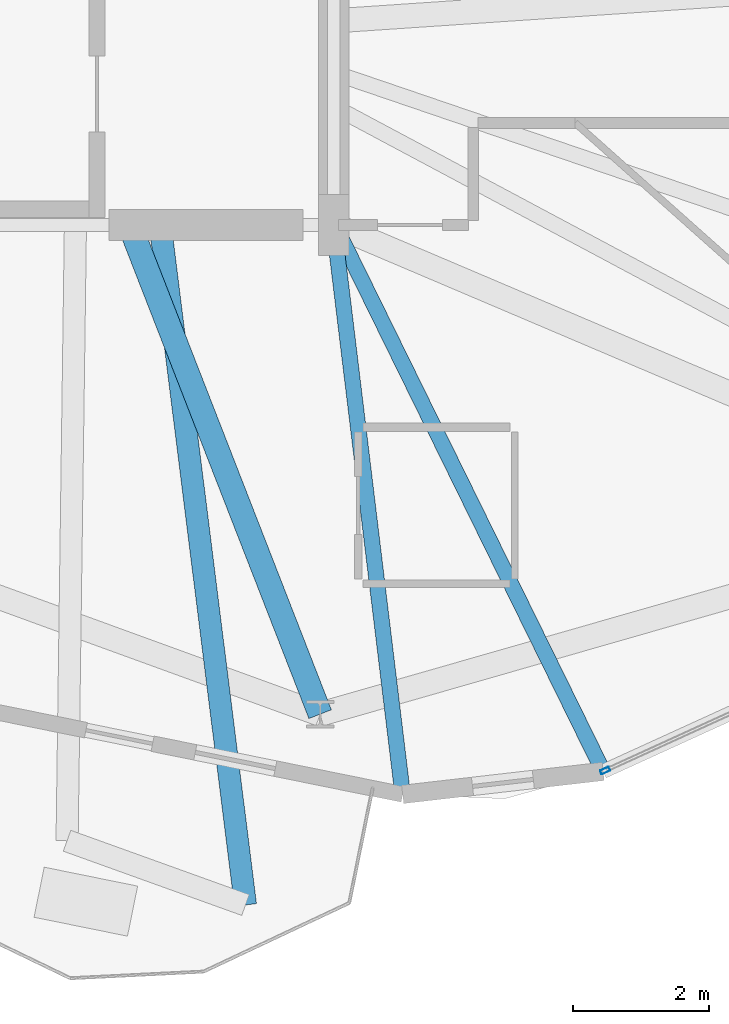
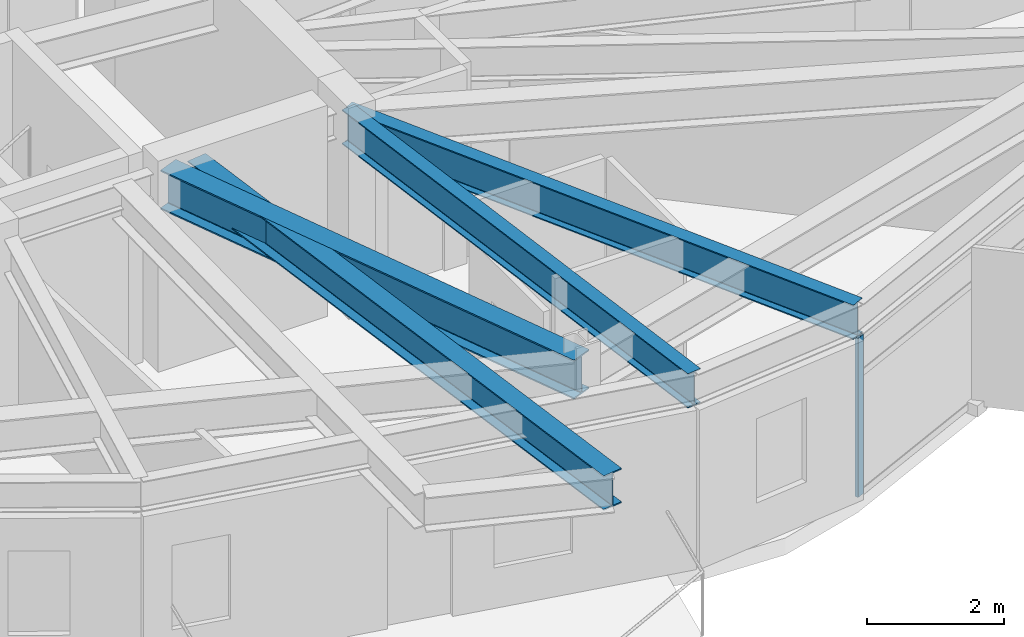
# One storey, part 5 of 23: 4 beams, 1 member, 1 element without a shape of its own.
"""IFC4 building model written with IfcOpenShell, lengths in metres."""

from ifc_helpers import new_model, si_unit, direction, frame, origin, origin_2d, place, context, subcontext, project, spatial, hollow_rectangle, i_section, extrude, material, layer, layer_set, material_profile, profile_set, type_object, element, aggregate, save


model = new_model("IFC4")

# Units and contexts
model_context = context("Model", 3, precision=1e-05, world=origin(), true_north=direction((0.0, 1.0)))
body_context = subcontext(model_context, "Body", "Model", "MODEL_VIEW")
ifc_project = project(units=[si_unit("LENGTHUNIT", "METRE"), si_unit("AREAUNIT", "SQUARE_METRE"), si_unit("VOLUMEUNIT", "CUBIC_METRE"), si_unit("PLANEANGLEUNIT", "RADIAN"), si_unit("MASSUNIT", "GRAM", prefix="KILO")], contexts=[model_context])

# Site, building, storey
site_placement = place(None, origin())
site = spatial("IfcSite", under=ifc_project, at=site_placement, CompositionType="ELEMENT")
building_placement = place(site_placement, origin())
building = spatial("IfcBuilding", under=site, at=building_placement, Name="Soratama Intermodal Tower", CompositionType="ELEMENT")
storey_placement = place(building_placement, frame((0.0, 0.0, 261.25)))
storey = spatial("IfcBuildingStorey", under=building, at=storey_placement, Name="L66", CompositionType="ELEMENT", Elevation=261.25)

# Beams
ifc_material_1 = material(Name="Structural steel ASTM A992 Grade 50", Category="steel")
ifc_material_profile_1 = material_profile(ifc_material_1, i_section(OverallWidth=0.324951171875, OverallDepth=0.615966796875, WebThickness=0.013916015625, FlangeThickness=0.021484375, FilletRadius=0.013916015625, at=origin_2d()), Name="W24X117")
ifc_profile_set_1 = profile_set([ifc_material_profile_1], Name="Structural steel ASTM A992 Grade 50")
beam_type_1 = type_object("IfcBeamType", Name="BM-CANT-W24X117", PredefinedType="BEAM", material=ifc_profile_set_1)
beam_1_placement = place(storey_placement, frame((42.054931640625, 14.9599609375, 3.14208984375), z_axis=(0.124421154193, -0.992229497843, 0.0), x_axis=(0.992229497843, 0.124421154193, 0.0)))
element("IfcBeam", 1, at=beam_1_placement, inside=storey, type_object=beam_type_1, Name="BM-L66-CANT-3-2", PredefinedType="BEAM", context=body_context, shape_type="SweptSolid", body=[
    extrude(i_section(OverallWidth=0.324951171875, OverallDepth=0.615966796875, WebThickness=0.013916015625, FlangeThickness=0.021484375, FilletRadius=0.013916015625, at=origin_2d()), origin(), (0.0, 0.0, 1.0), 10.03076171875),
])
ifc_material_2 = material(Name="Structural steel ASTM A992 Grade 50", Category="steel")
ifc_material_profile_2 = material_profile(ifc_material_2, i_section(OverallWidth=0.35498046875, OverallDepth=0.695068359375, WebThickness=0.015380859375, FlangeThickness=0.02490234375, FilletRadius=0.01611328125, at=origin_2d()), Name="W27X146")
ifc_profile_set_2 = profile_set([ifc_material_profile_2], Name="Structural steel ASTM A992 Grade 50")
beam_type_2 = type_object("IfcBeamType", Name="BM-RING-W27X146", PredefinedType="BEAM", material=ifc_profile_set_2)
beam_2_placement = place(storey_placement, frame((41.60009765625, 15.0, 3.1025390625), z_axis=(0.362907405592, -0.931825206231, 0.0), x_axis=(0.931825206231, 0.362907405592, 0.0)))
element("IfcBeam", 2, at=beam_2_placement, inside=storey, type_object=beam_type_2, Name="BM-L66-RAD-08", PredefinedType="BEAM", context=body_context, shape_type="SweptSolid", body=[
    extrude(i_section(OverallWidth=0.35498046875, OverallDepth=0.695068359375, WebThickness=0.015380859375, FlangeThickness=0.02490234375, FilletRadius=0.01611328125, at=origin_2d()), origin(), (0.0, 0.0, 1.0), 7.71484375),
])
ifc_material_3 = material(Name="Structural steel ASTM A992 Grade 50", Category="steel")
ifc_material_profile_3 = material_profile(ifc_material_3, i_section(OverallWidth=0.22900390625, OverallDepth=0.612060546875, WebThickness=0.011962890625, FlangeThickness=0.01953125, FilletRadius=0.012939453125, at=origin_2d()), Name="W24X84")
ifc_profile_set_3 = profile_set([ifc_material_profile_3], Name="Structural steel ASTM A992 Grade 50")
beam_type_3 = type_object("IfcBeamType", Name="BM-TIE-W24X84", PredefinedType="BEAM", material=ifc_profile_set_3)
beam_3_placement = place(storey_placement, frame((44.60302734375, 14.9599609375, 3.14404296875), z_axis=(0.120398290521, -0.992725667866, 0.0), x_axis=(0.992725667866, 0.120398290521, 0.0)))
element("IfcBeam", 3, at=beam_3_placement, inside=storey, type_object=beam_type_3, Name="BM-L66-TIE1-06", PredefinedType="BEAM", context=body_context, shape_type="SweptSolid", body=[
    extrude(i_section(OverallWidth=0.22900390625, OverallDepth=0.612060546875, WebThickness=0.011962890625, FlangeThickness=0.01953125, FilletRadius=0.012939453125, at=origin_2d()), origin(), (0.0, 0.0, 1.0), 8.388916015625),
])
beam_4_placement = place(storey_placement, frame((44.617919921875, 14.992919921875, 3.14404296875), z_axis=(0.440997676063, -0.897508244924, 0.0), x_axis=(0.897508244924, 0.440997676063, 0.0)))
element("IfcBeam", 4, at=beam_4_placement, inside=storey, type_object=beam_type_3, Name="BM-L66-TIE0-07", PredefinedType="BEAM", context=body_context, shape_type="SweptSolid", body=[
    extrude(i_section(OverallWidth=0.22900390625, OverallDepth=0.612060546875, WebThickness=0.011962890625, FlangeThickness=0.01953125, FilletRadius=0.012939453125, at=origin_2d()), origin(), (0.0, 0.0, 1.0), 8.939208984375),
])

# Curtain wall, member
ifc_material_4 = material(Name="Double-glazed aluminium curtain wall", Category="aluminium")
ifc_layer = layer(ifc_material_4, 0.159912109375)
ifc_layer_set = layer_set([ifc_layer], Name="Double-glazed aluminium curtain wall")
curtain_wall_type = type_object("IfcCurtainWallType", Name="CW-SYS-5", PredefinedType="NOTDEFINED", material=ifc_layer_set)
curtain_wall_placement = place(storey_placement, origin())
curtain_wall = element("IfcCurtainWall", 5, at=curtain_wall_placement, inside=storey, type_object=curtain_wall_type, Name="L66 Faceted Curtain Wall F07", PredefinedType="NOTDEFINED")
ifc_material_5 = material(Name="Anodised aluminium AA 6063-T6", Category="aluminium")
ifc_material_profile_4 = material_profile(ifc_material_5, hollow_rectangle(XDim=0.06494140625, YDim=0.139892578125, WallThickness=0.0048828125, InnerFilletRadius=0.0048828125, OuterFilletRadius=0.010009765625, at=origin_2d()), Name="CWM140X65X5")
ifc_profile_set_4 = profile_set([ifc_material_profile_4], Name="Anodised aluminium AA 6063-T6")
member_type = type_object("IfcMemberType", Name="MT-CWM-5", PredefinedType="MULLION", material=ifc_profile_set_4)
member_placement = place(storey_placement, frame((48.58740234375, 6.982666015625, 0.0), z_axis=(0.0, 0.0, 1.0), x_axis=(-0.415328753182, 0.909671383951, 0.0)))
member = element("IfcMember", 6, at=member_placement, type_object=member_type, Name="CW-5 mullion 1", PredefinedType="MULLION", context=body_context, shape_type="SweptSolid", body=[
    extrude(hollow_rectangle(XDim=0.06494140625, YDim=0.139892578125, WallThickness=0.0048828125, InnerFilletRadius=0.0048828125, OuterFilletRadius=0.010009765625, at=origin_2d()), origin(), (0.0, 0.0, 1.0), 2.8291015625),
])
aggregate(curtain_wall, [member])

save(model, "model.ifc")
